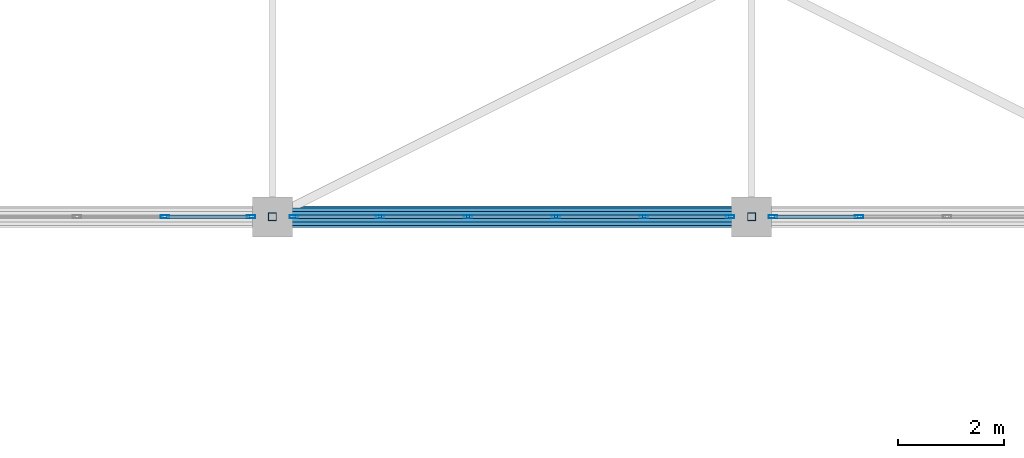
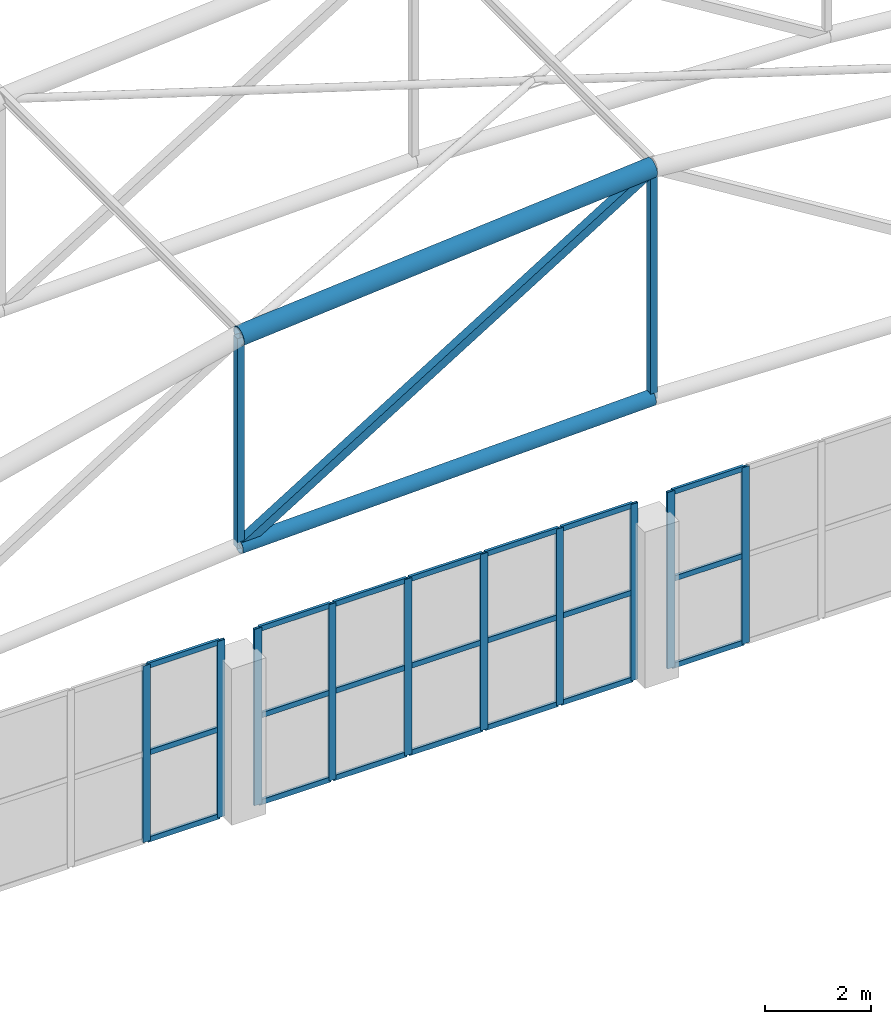
# One storey, part 7 of 167: 36 members, 3 elements without a shape of their own.
"""IFC4 building model written with IfcOpenShell, lengths in metres."""

from ifc_helpers import new_model, si_unit, direction, frame, origin, origin_2d, place, context, subcontext, project, spatial, hollow_rectangle, hollow_circle, extrude, material, layer, layer_set, material_profile, profile_set, type_object, element, aggregate, save


model = new_model("IFC4")

# Units and contexts
model_context = context("Model", 3, precision=1e-05, world=origin(), true_north=direction((0.0, 1.0)))
body_context = subcontext(model_context, "Body", "Model", "MODEL_VIEW")
ifc_project = project(units=[si_unit("LENGTHUNIT", "METRE"), si_unit("AREAUNIT", "SQUARE_METRE"), si_unit("VOLUMEUNIT", "CUBIC_METRE"), si_unit("PLANEANGLEUNIT", "RADIAN"), si_unit("MASSUNIT", "GRAM", prefix="KILO")], contexts=[model_context])

# Site, building, storey
site_placement = place(None, origin())
site = spatial("IfcSite", under=ifc_project, at=site_placement, CompositionType="ELEMENT")
building_placement = place(site_placement, origin())
building = spatial("IfcBuilding", under=site, at=building_placement, Name="Dornveld Trade and Exhibition Forum", CompositionType="ELEMENT")
storey_placement = place(building_placement, frame((0.0, 0.0, 16.800048828125)))
storey = spatial("IfcBuildingStorey", under=building, at=storey_placement, Name="L03", CompositionType="ELEMENT", Elevation=16.800048828125)

# Curtain wall, members
ifc_material_1 = material(Name="Dark-bronze anodised aluminium and low-E glass", Category="aluminium")
ifc_layer_1 = layer(ifc_material_1, 0.18701171875)
ifc_layer_set_1 = layer_set([ifc_layer_1], Name="Dark-bronze anodised aluminium and low-E glass")
curtain_wall_type_1 = type_object("IfcCurtainWallType", Name="CW-SYS-15", PredefinedType="USERDEFINED", material=ifc_layer_set_1)
curtain_wall_1_placement = place(storey_placement, origin())
curtain_wall_1 = element("IfcCurtainWall", 1, at=curtain_wall_1_placement, inside=storey, type_object=curtain_wall_type_1, Name="L03 unitised curtain wall 33", ObjectType="UNITISED_CURTAIN_WALL", PredefinedType="USERDEFINED")
ifc_material_2 = material(Name="Dark-bronze anodised aluminium", Category="aluminium")
ifc_material_profile_1 = material_profile(ifc_material_2, hollow_rectangle(XDim=0.06005859375, YDim=0.159912109375, WallThickness=0.00390625, at=origin_2d()), Name="RHS 160x60x4")
ifc_profile_set_1 = profile_set([ifc_material_profile_1], Name="Dark-bronze anodised aluminium")
member_type_1 = type_object("IfcMemberType", Name="CW-MUL-160", PredefinedType="MULLION", material=ifc_profile_set_1)
member_1_placement = place(storey_placement, frame((42.977294921875, 36.0, -0.004150390625), z_axis=(0.0, 0.0, 1.0), x_axis=(0.0, 1.0, 0.0)))
member_1 = element("IfcMember", 2, at=member_1_placement, type_object=member_type_1, Name="CW-15 mullion 5", PredefinedType="MULLION", context=body_context, shape_type="SweptSolid", body=[
    extrude(hollow_rectangle(XDim=0.06005859375, YDim=0.159912109375, WallThickness=0.00390625, at=origin_2d()), origin(), (0.0, 0.0, 1.0), 4.064208984375),
])
member_2_placement = place(storey_placement, frame((44.59912109375, 36.0, -0.004150390625), z_axis=(0.0, 0.0, 1.0), x_axis=(0.0, 1.0, 0.0)))
member_2 = element("IfcMember", 3, at=member_2_placement, type_object=member_type_1, Name="CW-15 mullion 6", PredefinedType="MULLION", context=body_context, shape_type="SweptSolid", body=[
    extrude(hollow_rectangle(XDim=0.06005859375, YDim=0.159912109375, WallThickness=0.00390625, at=origin_2d()), origin(), (0.0, 0.0, 1.0), 4.064208984375),
])

ifc_material_3 = material(Name="Dark-bronze anodised aluminium and low-E glass", Category="aluminium")
ifc_layer_2 = layer(ifc_material_3, 0.193115234375)
ifc_layer_set_2 = layer_set([ifc_layer_2], Name="Dark-bronze anodised aluminium and low-E glass")
curtain_wall_type_2 = type_object("IfcCurtainWallType", Name="CW-SYS-17", PredefinedType="USERDEFINED", material=ifc_layer_set_2)
curtain_wall_2_placement = place(storey_placement, origin())
curtain_wall_2 = element("IfcCurtainWall", 4, at=curtain_wall_2_placement, inside=storey, type_object=curtain_wall_type_2, Name="L03 unitised curtain wall 35", ObjectType="UNITISED_CURTAIN_WALL", PredefinedType="USERDEFINED")
member_3_placement = place(storey_placement, frame((45.40087890625, 36.0, -0.004150390625), z_axis=(0.0, 0.0, 1.0), x_axis=(0.0, 1.0, 0.0)))
member_3 = element("IfcMember", 5, at=member_3_placement, type_object=member_type_1, Name="CW-17 mullion 1", PredefinedType="MULLION", context=body_context, shape_type="SweptSolid", body=[
    extrude(hollow_rectangle(XDim=0.06005859375, YDim=0.159912109375, WallThickness=0.00390625, at=origin_2d()), origin(), (0.0, 0.0, 1.0), 4.064208984375),
])
member_4_placement = place(storey_placement, frame((47.022705078125, 36.0, -0.004150390625), z_axis=(0.0, 0.0, 1.0), x_axis=(0.0, 1.0, 0.0)))
member_4 = element("IfcMember", 6, at=member_4_placement, type_object=member_type_1, Name="CW-17 mullion 2", PredefinedType="MULLION", context=body_context, shape_type="SweptSolid", body=[
    extrude(hollow_rectangle(XDim=0.06005859375, YDim=0.159912109375, WallThickness=0.00390625, at=origin_2d()), origin(), (0.0, 0.0, 1.0), 4.064208984375),
])
member_5_placement = place(storey_placement, frame((48.67431640625, 36.0, -0.004150390625), z_axis=(0.0, 0.0, 1.0), x_axis=(0.0, 1.0, 0.0)))
member_5 = element("IfcMember", 7, at=member_5_placement, type_object=member_type_1, Name="CW-17 mullion 3", PredefinedType="MULLION", context=body_context, shape_type="SweptSolid", body=[
    extrude(hollow_rectangle(XDim=0.06005859375, YDim=0.159912109375, WallThickness=0.00390625, at=origin_2d()), origin(), (0.0, 0.0, 1.0), 4.064208984375),
])
member_6_placement = place(storey_placement, frame((50.32568359375, 36.0, -0.004150390625), z_axis=(0.0, 0.0, 1.0), x_axis=(0.0, 1.0, 0.0)))
member_6 = element("IfcMember", 8, at=member_6_placement, type_object=member_type_1, Name="CW-17 mullion 4", PredefinedType="MULLION", context=body_context, shape_type="SweptSolid", body=[
    extrude(hollow_rectangle(XDim=0.06005859375, YDim=0.159912109375, WallThickness=0.00390625, at=origin_2d()), origin(), (0.0, 0.0, 1.0), 4.064208984375),
])
member_7_placement = place(storey_placement, frame((51.977294921875, 36.0, -0.004150390625), z_axis=(0.0, 0.0, 1.0), x_axis=(0.0, 1.0, 0.0)))
member_7 = element("IfcMember", 9, at=member_7_placement, type_object=member_type_1, Name="CW-17 mullion 5", PredefinedType="MULLION", context=body_context, shape_type="SweptSolid", body=[
    extrude(hollow_rectangle(XDim=0.06005859375, YDim=0.159912109375, WallThickness=0.00390625, at=origin_2d()), origin(), (0.0, 0.0, 1.0), 4.064208984375),
])
member_8_placement = place(storey_placement, frame((53.59912109375, 36.0, -0.004150390625), z_axis=(0.0, 0.0, 1.0), x_axis=(0.0, 1.0, 0.0)))
member_8 = element("IfcMember", 10, at=member_8_placement, type_object=member_type_1, Name="CW-17 mullion 6", PredefinedType="MULLION", context=body_context, shape_type="SweptSolid", body=[
    extrude(hollow_rectangle(XDim=0.06005859375, YDim=0.159912109375, WallThickness=0.00390625, at=origin_2d()), origin(), (0.0, 0.0, 1.0), 4.064208984375),
])

ifc_material_4 = material(Name="Dark-bronze anodised aluminium and low-E glass", Category="aluminium")
ifc_layer_3 = layer(ifc_material_4, 0.14501953125)
ifc_layer_set_3 = layer_set([ifc_layer_3], Name="Dark-bronze anodised aluminium and low-E glass")
curtain_wall_type_3 = type_object("IfcCurtainWallType", Name="CW-SYS-01", PredefinedType="USERDEFINED", material=ifc_layer_set_3)
curtain_wall_3_placement = place(storey_placement, origin())
curtain_wall_3 = element("IfcCurtainWall", 11, at=curtain_wall_3_placement, inside=storey, type_object=curtain_wall_type_3, Name="L03 unitised curtain wall 37", ObjectType="UNITISED_CURTAIN_WALL", PredefinedType="USERDEFINED")
member_9_placement = place(storey_placement, frame((54.40087890625, 36.0, -0.004150390625), z_axis=(0.0, 0.0, 1.0), x_axis=(0.0, 1.0, 0.0)))
member_9 = element("IfcMember", 12, at=member_9_placement, type_object=member_type_1, Name="CW-01 mullion 1", PredefinedType="MULLION", context=body_context, shape_type="SweptSolid", body=[
    extrude(hollow_rectangle(XDim=0.06005859375, YDim=0.159912109375, WallThickness=0.00390625, at=origin_2d()), origin(), (0.0, 0.0, 1.0), 4.064208984375),
])
member_10_placement = place(storey_placement, frame((56.022705078125, 36.0, -0.004150390625), z_axis=(0.0, 0.0, 1.0), x_axis=(0.0, 1.0, 0.0)))
member_10 = element("IfcMember", 13, at=member_10_placement, type_object=member_type_1, Name="CW-01 mullion 2", PredefinedType="MULLION", context=body_context, shape_type="SweptSolid", body=[
    extrude(hollow_rectangle(XDim=0.06005859375, YDim=0.159912109375, WallThickness=0.00390625, at=origin_2d()), origin(), (0.0, 0.0, 1.0), 4.064208984375),
])

# Member
ifc_material_5 = material(Name="Dark-bronze anodised aluminium", Category="aluminium")
ifc_material_profile_2 = material_profile(ifc_material_5, hollow_rectangle(XDim=0.06005859375, YDim=0.1201171875, WallThickness=0.00390625, at=origin_2d()), Name="RHS 120x60x4")
ifc_profile_set_2 = profile_set([ifc_material_profile_2], Name="Dark-bronze anodised aluminium")
member_type_2 = type_object("IfcMemberType", Name="CW-TRN-120", PredefinedType="USERDEFINED", material=ifc_profile_set_2)
member_11_placement = place(storey_placement, frame((43.00732421875, 36.0, 0.02587890625), z_axis=(1.0, 0.0, 0.0), x_axis=(0.0, 1.0, 0.0)))
member_11 = element("IfcMember", 14, at=member_11_placement, type_object=member_type_2, Name="CW-15 transom 5.1", ObjectType="TRANSOM", PredefinedType="USERDEFINED", context=body_context, shape_type="SweptSolid", body=[
    extrude(hollow_rectangle(XDim=0.06005859375, YDim=0.1201171875, WallThickness=0.00390625, at=origin_2d()), origin(), (0.0, 0.0, 1.0), 1.561767578125),
])

member_12_placement = place(storey_placement, frame((43.00732421875, 36.0, 2.02783203125), z_axis=(1.0, 0.0, 0.0), x_axis=(0.0, 1.0, 0.0)))
member_12 = element("IfcMember", 15, at=member_12_placement, type_object=member_type_2, Name="CW-15 transom 5.2", ObjectType="TRANSOM", PredefinedType="USERDEFINED", context=body_context, shape_type="SweptSolid", body=[
    extrude(hollow_rectangle(XDim=0.06005859375, YDim=0.1201171875, WallThickness=0.00390625, at=origin_2d()), origin(), (0.0, 0.0, 1.0), 1.561767578125),
])

member_13_placement = place(storey_placement, frame((43.00732421875, 36.0, 4.030029296875), z_axis=(1.0, 0.0, 0.0), x_axis=(0.0, 1.0, 0.0)))
member_13 = element("IfcMember", 16, at=member_13_placement, type_object=member_type_2, Name="CW-15 transom 5.3", ObjectType="TRANSOM", PredefinedType="USERDEFINED", context=body_context, shape_type="SweptSolid", body=[
    extrude(hollow_rectangle(XDim=0.06005859375, YDim=0.1201171875, WallThickness=0.00390625, at=origin_2d()), origin(), (0.0, 0.0, 1.0), 1.561767578125),
])

aggregate(curtain_wall_1, [member_1, member_2, member_11, member_12, member_13])

member_14_placement = place(storey_placement, frame((45.430908203125, 36.0, 0.02587890625), z_axis=(1.0, 0.0, 0.0), x_axis=(0.0, 1.0, 0.0)))
member_14 = element("IfcMember", 17, at=member_14_placement, type_object=member_type_2, Name="CW-17 transom 1.1", ObjectType="TRANSOM", PredefinedType="USERDEFINED", context=body_context, shape_type="SweptSolid", body=[
    extrude(hollow_rectangle(XDim=0.06005859375, YDim=0.1201171875, WallThickness=0.00390625, at=origin_2d()), origin(), (0.0, 0.0, 1.0), 1.561767578125),
])

member_15_placement = place(storey_placement, frame((45.430908203125, 36.0, 2.02783203125), z_axis=(1.0, 0.0, 0.0), x_axis=(0.0, 1.0, 0.0)))
member_15 = element("IfcMember", 18, at=member_15_placement, type_object=member_type_2, Name="CW-17 transom 1.2", ObjectType="TRANSOM", PredefinedType="USERDEFINED", context=body_context, shape_type="SweptSolid", body=[
    extrude(hollow_rectangle(XDim=0.06005859375, YDim=0.1201171875, WallThickness=0.00390625, at=origin_2d()), origin(), (0.0, 0.0, 1.0), 1.561767578125),
])

member_16_placement = place(storey_placement, frame((45.430908203125, 36.0, 4.030029296875), z_axis=(1.0, 0.0, 0.0), x_axis=(0.0, 1.0, 0.0)))
member_16 = element("IfcMember", 19, at=member_16_placement, type_object=member_type_2, Name="CW-17 transom 1.3", ObjectType="TRANSOM", PredefinedType="USERDEFINED", context=body_context, shape_type="SweptSolid", body=[
    extrude(hollow_rectangle(XDim=0.06005859375, YDim=0.1201171875, WallThickness=0.00390625, at=origin_2d()), origin(), (0.0, 0.0, 1.0), 1.561767578125),
])

member_17_placement = place(storey_placement, frame((47.052490234375, 36.0, 0.02587890625), z_axis=(1.0, 0.0, 0.0), x_axis=(0.0, 1.0, 0.0)))
member_17 = element("IfcMember", 20, at=member_17_placement, type_object=member_type_2, Name="CW-17 transom 2.1", ObjectType="TRANSOM", PredefinedType="USERDEFINED", context=body_context, shape_type="SweptSolid", body=[
    extrude(hollow_rectangle(XDim=0.06005859375, YDim=0.1201171875, WallThickness=0.00390625, at=origin_2d()), origin(), (0.0, 0.0, 1.0), 1.591796875),
])

member_18_placement = place(storey_placement, frame((47.052490234375, 36.0, 2.02783203125), z_axis=(1.0, 0.0, 0.0), x_axis=(0.0, 1.0, 0.0)))
member_18 = element("IfcMember", 21, at=member_18_placement, type_object=member_type_2, Name="CW-17 transom 2.2", ObjectType="TRANSOM", PredefinedType="USERDEFINED", context=body_context, shape_type="SweptSolid", body=[
    extrude(hollow_rectangle(XDim=0.06005859375, YDim=0.1201171875, WallThickness=0.00390625, at=origin_2d()), origin(), (0.0, 0.0, 1.0), 1.591796875),
])

member_19_placement = place(storey_placement, frame((47.052490234375, 36.0, 4.030029296875), z_axis=(1.0, 0.0, 0.0), x_axis=(0.0, 1.0, 0.0)))
member_19 = element("IfcMember", 22, at=member_19_placement, type_object=member_type_2, Name="CW-17 transom 2.3", ObjectType="TRANSOM", PredefinedType="USERDEFINED", context=body_context, shape_type="SweptSolid", body=[
    extrude(hollow_rectangle(XDim=0.06005859375, YDim=0.1201171875, WallThickness=0.00390625, at=origin_2d()), origin(), (0.0, 0.0, 1.0), 1.591796875),
])

member_20_placement = place(storey_placement, frame((48.7041015625, 36.0, 0.02587890625), z_axis=(1.0, 0.0, 0.0), x_axis=(0.0, 1.0, 0.0)))
member_20 = element("IfcMember", 23, at=member_20_placement, type_object=member_type_2, Name="CW-17 transom 3.1", ObjectType="TRANSOM", PredefinedType="USERDEFINED", context=body_context, shape_type="SweptSolid", body=[
    extrude(hollow_rectangle(XDim=0.06005859375, YDim=0.1201171875, WallThickness=0.00390625, at=origin_2d()), origin(), (0.0, 0.0, 1.0), 1.591796875),
])

member_21_placement = place(storey_placement, frame((48.7041015625, 36.0, 2.02783203125), z_axis=(1.0, 0.0, 0.0), x_axis=(0.0, 1.0, 0.0)))
member_21 = element("IfcMember", 24, at=member_21_placement, type_object=member_type_2, Name="CW-17 transom 3.2", ObjectType="TRANSOM", PredefinedType="USERDEFINED", context=body_context, shape_type="SweptSolid", body=[
    extrude(hollow_rectangle(XDim=0.06005859375, YDim=0.1201171875, WallThickness=0.00390625, at=origin_2d()), origin(), (0.0, 0.0, 1.0), 1.591796875),
])

member_22_placement = place(storey_placement, frame((48.7041015625, 36.0, 4.030029296875), z_axis=(1.0, 0.0, 0.0), x_axis=(0.0, 1.0, 0.0)))
member_22 = element("IfcMember", 25, at=member_22_placement, type_object=member_type_2, Name="CW-17 transom 3.3", ObjectType="TRANSOM", PredefinedType="USERDEFINED", context=body_context, shape_type="SweptSolid", body=[
    extrude(hollow_rectangle(XDim=0.06005859375, YDim=0.1201171875, WallThickness=0.00390625, at=origin_2d()), origin(), (0.0, 0.0, 1.0), 1.591796875),
])

member_23_placement = place(storey_placement, frame((50.355712890625, 36.0, 0.02587890625), z_axis=(1.0, 0.0, 0.0), x_axis=(0.0, 1.0, 0.0)))
member_23 = element("IfcMember", 26, at=member_23_placement, type_object=member_type_2, Name="CW-17 transom 4.1", ObjectType="TRANSOM", PredefinedType="USERDEFINED", context=body_context, shape_type="SweptSolid", body=[
    extrude(hollow_rectangle(XDim=0.06005859375, YDim=0.1201171875, WallThickness=0.00390625, at=origin_2d()), origin(), (0.0, 0.0, 1.0), 1.591796875),
])

member_24_placement = place(storey_placement, frame((50.355712890625, 36.0, 2.02783203125), z_axis=(1.0, 0.0, 0.0), x_axis=(0.0, 1.0, 0.0)))
member_24 = element("IfcMember", 27, at=member_24_placement, type_object=member_type_2, Name="CW-17 transom 4.2", ObjectType="TRANSOM", PredefinedType="USERDEFINED", context=body_context, shape_type="SweptSolid", body=[
    extrude(hollow_rectangle(XDim=0.06005859375, YDim=0.1201171875, WallThickness=0.00390625, at=origin_2d()), origin(), (0.0, 0.0, 1.0), 1.591796875),
])

member_25_placement = place(storey_placement, frame((50.355712890625, 36.0, 4.030029296875), z_axis=(1.0, 0.0, 0.0), x_axis=(0.0, 1.0, 0.0)))
member_25 = element("IfcMember", 28, at=member_25_placement, type_object=member_type_2, Name="CW-17 transom 4.3", ObjectType="TRANSOM", PredefinedType="USERDEFINED", context=body_context, shape_type="SweptSolid", body=[
    extrude(hollow_rectangle(XDim=0.06005859375, YDim=0.1201171875, WallThickness=0.00390625, at=origin_2d()), origin(), (0.0, 0.0, 1.0), 1.591796875),
])

member_26_placement = place(storey_placement, frame((52.00732421875, 36.0, 0.02587890625), z_axis=(1.0, 0.0, 0.0), x_axis=(0.0, 1.0, 0.0)))
member_26 = element("IfcMember", 29, at=member_26_placement, type_object=member_type_2, Name="CW-17 transom 5.1", ObjectType="TRANSOM", PredefinedType="USERDEFINED", context=body_context, shape_type="SweptSolid", body=[
    extrude(hollow_rectangle(XDim=0.06005859375, YDim=0.1201171875, WallThickness=0.00390625, at=origin_2d()), origin(), (0.0, 0.0, 1.0), 1.561767578125),
])

member_27_placement = place(storey_placement, frame((52.00732421875, 36.0, 2.02783203125), z_axis=(1.0, 0.0, 0.0), x_axis=(0.0, 1.0, 0.0)))
member_27 = element("IfcMember", 30, at=member_27_placement, type_object=member_type_2, Name="CW-17 transom 5.2", ObjectType="TRANSOM", PredefinedType="USERDEFINED", context=body_context, shape_type="SweptSolid", body=[
    extrude(hollow_rectangle(XDim=0.06005859375, YDim=0.1201171875, WallThickness=0.00390625, at=origin_2d()), origin(), (0.0, 0.0, 1.0), 1.561767578125),
])

member_28_placement = place(storey_placement, frame((52.00732421875, 36.0, 4.030029296875), z_axis=(1.0, 0.0, 0.0), x_axis=(0.0, 1.0, 0.0)))
member_28 = element("IfcMember", 31, at=member_28_placement, type_object=member_type_2, Name="CW-17 transom 5.3", ObjectType="TRANSOM", PredefinedType="USERDEFINED", context=body_context, shape_type="SweptSolid", body=[
    extrude(hollow_rectangle(XDim=0.06005859375, YDim=0.1201171875, WallThickness=0.00390625, at=origin_2d()), origin(), (0.0, 0.0, 1.0), 1.561767578125),
])

aggregate(curtain_wall_2, [member_3, member_4, member_5, member_6, member_7, member_8, member_14, member_15, member_16, member_17, member_18, member_19, member_20, member_21, member_22, member_23, member_24, member_25, member_26, member_27, member_28])

member_29_placement = place(storey_placement, frame((54.430908203125, 36.0, 0.02587890625), z_axis=(1.0, 0.0, 0.0), x_axis=(0.0, 1.0, 0.0)))
member_29 = element("IfcMember", 32, at=member_29_placement, type_object=member_type_2, Name="CW-01 transom 1.1", ObjectType="TRANSOM", PredefinedType="USERDEFINED", context=body_context, shape_type="SweptSolid", body=[
    extrude(hollow_rectangle(XDim=0.06005859375, YDim=0.1201171875, WallThickness=0.00390625, at=origin_2d()), origin(), (0.0, 0.0, 1.0), 1.561767578125),
])

member_30_placement = place(storey_placement, frame((54.430908203125, 36.0, 2.02783203125), z_axis=(1.0, 0.0, 0.0), x_axis=(0.0, 1.0, 0.0)))
member_30 = element("IfcMember", 33, at=member_30_placement, type_object=member_type_2, Name="CW-01 transom 1.2", ObjectType="TRANSOM", PredefinedType="USERDEFINED", context=body_context, shape_type="SweptSolid", body=[
    extrude(hollow_rectangle(XDim=0.06005859375, YDim=0.1201171875, WallThickness=0.00390625, at=origin_2d()), origin(), (0.0, 0.0, 1.0), 1.561767578125),
])

member_31_placement = place(storey_placement, frame((54.430908203125, 36.0, 4.030029296875), z_axis=(1.0, 0.0, 0.0), x_axis=(0.0, 1.0, 0.0)))
member_31 = element("IfcMember", 34, at=member_31_placement, type_object=member_type_2, Name="CW-01 transom 1.3", ObjectType="TRANSOM", PredefinedType="USERDEFINED", context=body_context, shape_type="SweptSolid", body=[
    extrude(hollow_rectangle(XDim=0.06005859375, YDim=0.1201171875, WallThickness=0.00390625, at=origin_2d()), origin(), (0.0, 0.0, 1.0), 1.561767578125),
])

aggregate(curtain_wall_3, [member_9, member_10, member_29, member_30, member_31])

# Members
ifc_material_6 = material(Name="Steel S355J2", Category="steel")
ifc_material_profile_3 = material_profile(ifc_material_6, hollow_circle(Radius=0.161865234375, WallThickness=0.01611328125, at=origin_2d()), Name="CHS 323.9x16")
ifc_profile_set_3 = profile_set([ifc_material_profile_3], Name="Steel S355J2")
member_type_3 = type_object("IfcMemberType", Name="MEM-ARCH-BC", PredefinedType="CHORD", material=ifc_profile_set_3)
member_32_placement = place(storey_placement, frame((45.0, 36.0, 6.083251953125), z_axis=(0.999561545365, 0.0, 0.029609407757), x_axis=(0.0, 1.0, 0.0)))
element("IfcMember", 35, at=member_32_placement, inside=storey, type_object=member_type_3, Name="H3 truss 1 tie chord 3", PredefinedType="CHORD", context=body_context, shape_type="SweptSolid", body=[
    extrude(hollow_circle(Radius=0.161865234375, WallThickness=0.01611328125, at=origin_2d()), origin(), (0.0, 0.0, 1.0), 9.00390625),
])
ifc_material_7 = material(Name="Steel S355J2", Category="steel")
ifc_material_profile_4 = material_profile(ifc_material_7, hollow_rectangle(XDim=0.14990234375, YDim=0.14990234375, WallThickness=0.008056640625, at=origin_2d()), Name="SHS 150x150x8")
ifc_profile_set_4 = profile_set([ifc_material_profile_4], Name="Steel S355J2")
member_type_4 = type_object("IfcMemberType", Name="MEM-ARCH-STR", PredefinedType="STRUT", material=ifc_profile_set_4)
member_33_placement = place(storey_placement, frame((45.0, 36.0, 6.083251953125), z_axis=(0.0, 0.0, 1.0), x_axis=(1.0, 0.0, 0.0)))
element("IfcMember", 36, at=member_33_placement, inside=storey, type_object=member_type_4, Name="H3 truss 1 strut 3", PredefinedType="STRUT", context=body_context, shape_type="SweptSolid", body=[
    extrude(hollow_rectangle(XDim=0.14990234375, YDim=0.14990234375, WallThickness=0.008056640625, at=origin_2d()), origin(), (0.0, 0.0, 1.0), 4.83349609375),
])
member_34_placement = place(storey_placement, frame((54.0, 36.0, 6.349853515625), z_axis=(0.0, 0.0, 1.0), x_axis=(1.0, 0.0, 0.0)))
element("IfcMember", 37, at=member_34_placement, inside=storey, type_object=member_type_4, Name="H3 truss 1 strut 4", PredefinedType="STRUT", context=body_context, shape_type="SweptSolid", body=[
    extrude(hollow_rectangle(XDim=0.14990234375, YDim=0.14990234375, WallThickness=0.008056640625, at=origin_2d()), origin(), (0.0, 0.0, 1.0), 5.300048828125),
])
ifc_material_8 = material(Name="Steel S355J2", Category="steel")
ifc_material_profile_5 = material_profile(ifc_material_8, hollow_circle(Radius=0.203125, WallThickness=0.02001953125, at=origin_2d()), Name="CHS 406.4x20")
ifc_profile_set_5 = profile_set([ifc_material_profile_5], Name="Steel S355J2")
member_type_5 = type_object("IfcMemberType", Name="MEM-ARCH-TC", PredefinedType="CHORD", material=ifc_profile_set_5)
member_35_placement = place(storey_placement, frame((45.0, 36.0, 10.916748046875), z_axis=(0.996698427641, 0.0, 0.081192637213), x_axis=(0.0, 1.0, 0.0)))
element("IfcMember", 38, at=member_35_placement, inside=storey, type_object=member_type_5, Name="H3 truss 1 top chord 3", PredefinedType="CHORD", context=body_context, shape_type="SweptSolid", body=[
    extrude(hollow_circle(Radius=0.203125, WallThickness=0.02001953125, at=origin_2d()), origin(), (0.0, 0.0, 1.0), 9.02978515625),
])
ifc_material_9 = material(Name="Steel S355J2", Category="steel")
ifc_material_profile_6 = material_profile(ifc_material_9, hollow_rectangle(XDim=0.199951171875, YDim=0.199951171875, WallThickness=0.010009765625, at=origin_2d()), Name="SHS 200x200x10")
ifc_profile_set_6 = profile_set([ifc_material_profile_6], Name="Steel S355J2")
member_type_6 = type_object("IfcMemberType", Name="MEM-ARCH-WEB", PredefinedType="BRACE", material=ifc_profile_set_6)
member_36_placement = place(storey_placement, frame((45.0, 36.0, 6.083251953125), z_axis=(0.850467158024, 0.0, 0.526028148603), x_axis=(0.0, 1.0, 0.0)))
element("IfcMember", 39, at=member_36_placement, inside=storey, type_object=member_type_6, Name="H3 truss 1 web 3", PredefinedType="BRACE", context=body_context, shape_type="SweptSolid", body=[
    extrude(hollow_rectangle(XDim=0.199951171875, YDim=0.199951171875, WallThickness=0.010009765625, at=origin_2d()), origin(), (0.0, 0.0, 1.0), 10.58251953125),
])

save(model, "model.ifc")
